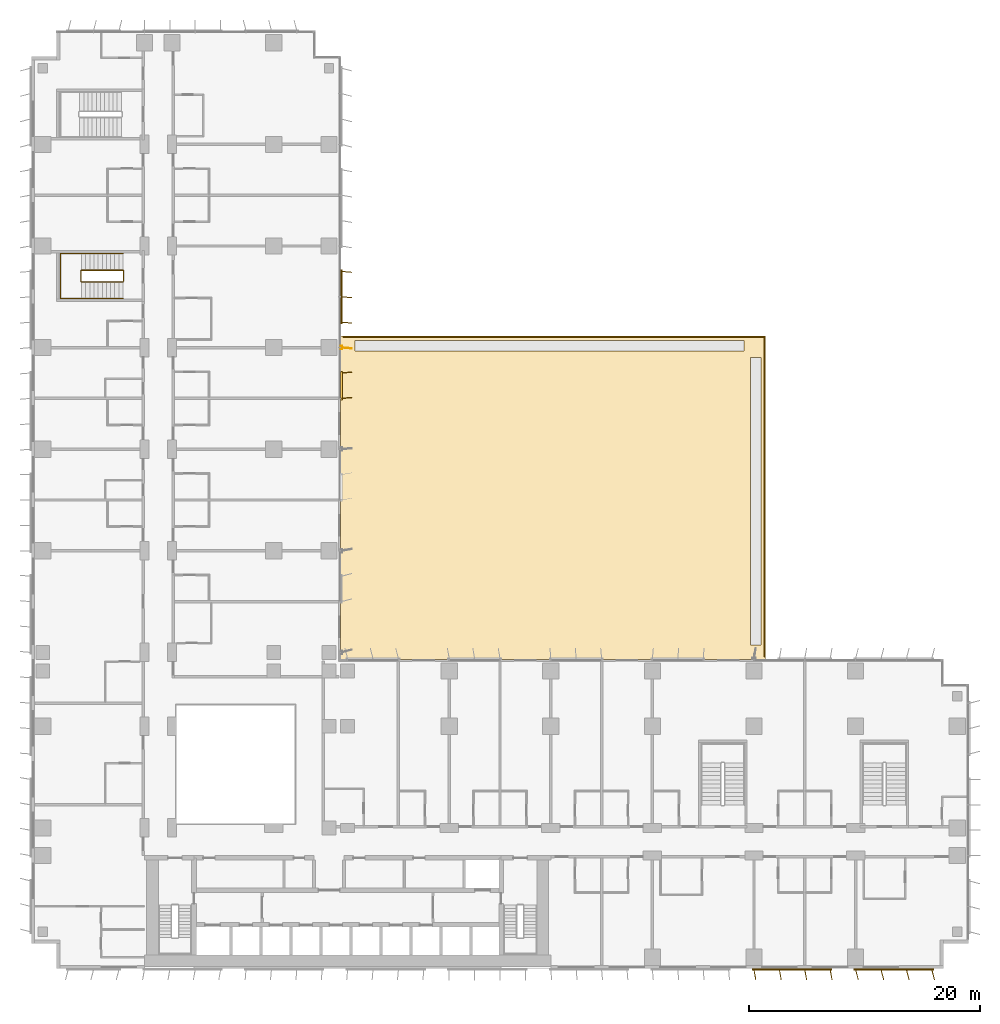
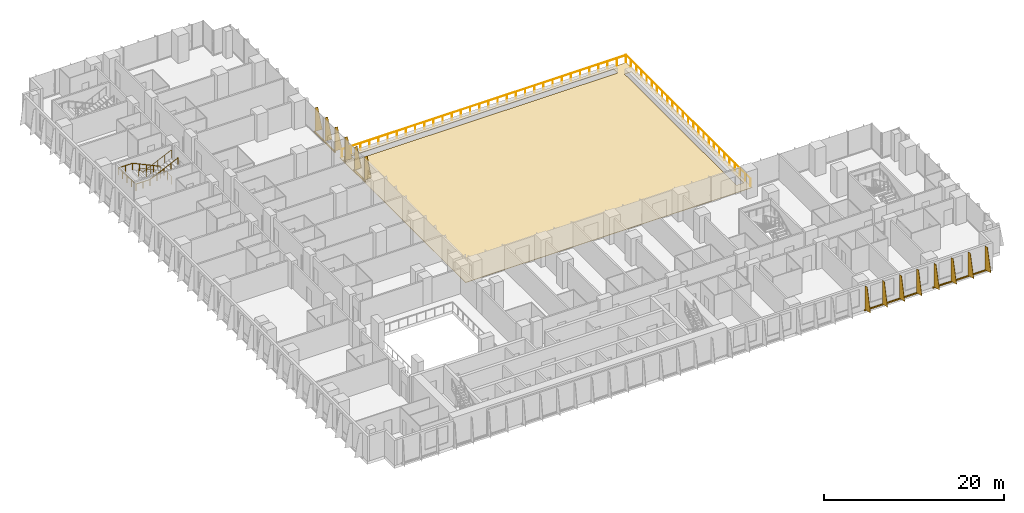
# One storey, part 21 of 23: 5 shading devices, 3 railings, 1 covering.
"""IFC4 building model written with IfcOpenShell, lengths in metres."""

from ifc_helpers import new_model, si_unit, direction, frame, origin, origin_2d, place, context, subcontext, project, spatial, polyline, rectangle, circle, outline, extrude, source, transform, mapped, material, layer, layer_set, type_object, element, save


model = new_model("IFC4")

# Units and contexts
model_context = context("Model", 3, precision=1e-05, world=origin(), true_north=direction((0.0, 1.0)))
body_context = subcontext(model_context, "Body", "Model", "MODEL_VIEW")
ifc_project = project(units=[si_unit("LENGTHUNIT", "METRE"), si_unit("AREAUNIT", "SQUARE_METRE"), si_unit("VOLUMEUNIT", "CUBIC_METRE"), si_unit("PLANEANGLEUNIT", "RADIAN"), si_unit("MASSUNIT", "GRAM", prefix="KILO")], contexts=[model_context])

# Site, building, storey
site_placement = place(None, origin())
site = spatial("IfcSite", under=ifc_project, at=site_placement, CompositionType="ELEMENT")
building_placement = place(site_placement, origin())
building = spatial("IfcBuilding", under=site, at=building_placement, Name="Kemantara Hotel Tower", CompositionType="ELEMENT")
storey_placement = place(building_placement, frame((0.0, 0.0, 34.0)))
storey = spatial("IfcBuildingStorey", under=building, at=storey_placement, Name="L06", CompositionType="ELEMENT", Elevation=34.0)

# Railings
ifc_material_1 = material(Name="Stainless steel balustrade", Category="steel")
railing_type_1 = type_object("IfcRailingType", Name="Stair guard 1100 mm", PredefinedType="GUARDRAIL", material=ifc_material_1)
railing_1_placement = place(storey_placement, frame((7.949951171875, 59.5, 3.699951171875)))
element("IfcRailing", 1, at=railing_1_placement, inside=storey, type_object=railing_type_1, Name="L06 ST4 stair guard 1", PredefinedType="GUARDRAIL", context=body_context, shape_type="SweptSolid", body=[
    extrude(circle(Radius=0.02392578125, at=origin_2d()), frame((0.0, 0.0, 1.076171875), z_axis=(-0.905994681025, 0.0, -0.423289071386), x_axis=(0.0, -1.0, 0.0)), (0.0, 0.0, 1.0), 3.973388671875),
    extrude(circle(Radius=0.02392578125, at=origin_2d()), frame((-3.599853515625, 0.0, -0.60595703125), z_axis=(-0.274582412415, 0.274582412415, -0.921525364591), x_axis=(-0.707106781187, -0.707106781187, 0.0)), (0.0, 0.0, 1.0), 0.182373046875),
    extrude(circle(Radius=0.02392578125, at=origin_2d()), frame((-3.64990234375, 0.050048828125, -0.77392578125), z_axis=(0.0, 1.0, 0.0), x_axis=(-1.0, 0.0, 0.0)), (0.0, 0.0, 1.0), 0.89990234375),
    extrude(circle(Radius=0.02392578125, at=origin_2d()), frame((-3.64990234375, 0.949951171875, -0.77392578125), z_axis=(0.707106781187, 0.707106781187, 0.0), x_axis=(-0.707106781187, 0.707106781187, 0.0)), (0.0, 0.0, 1.0), 0.07080078125),
    extrude(circle(Radius=0.02392578125, at=origin_2d()), frame((-3.599853515625, 1.0, -0.77392578125), z_axis=(0.905994681025, 0.0, -0.423289071386), x_axis=(0.0, 1.0, 0.0)), (0.0, 0.0, 1.0), 3.973388671875),
    extrude(circle(Radius=0.02392578125, at=origin_2d()), frame((0.0, 1.0, -2.45556640625), z_axis=(0.274243871929, -0.274243871929, -0.92172696468), x_axis=(0.707106781187, 0.707106781187, 0.0)), (0.0, 0.0, 1.0), 0.1826171875),
    extrude(circle(Radius=0.02392578125, at=origin_2d()), frame((0.050048828125, 0.949951171875, -2.6240234375), z_axis=(0.0, -1.0, 0.0), x_axis=(1.0, 0.0, 0.0)), (0.0, 0.0, 1.0), 0.89990234375),
    extrude(circle(Radius=0.02099609375, at=origin_2d()), origin(), (0.0, 0.0, 1.0), 1.052001953125),
    extrude(circle(Radius=0.02099609375, at=origin_2d()), frame((-0.89990234375, 0.0, -0.42041015625)), (0.0, 0.0, 1.0), 1.052001953125),
    extrude(circle(Radius=0.02099609375, at=origin_2d()), frame((-1.7998046875, 0.0, -0.8408203125)), (0.0, 0.0, 1.0), 1.052001953125),
    extrude(circle(Radius=0.02099609375, at=origin_2d()), frame((-2.699951171875, 0.0, -1.261474609375)), (0.0, 0.0, 1.0), 1.052001953125),
    extrude(circle(Radius=0.02099609375, at=origin_2d()), frame((-3.599853515625, 0.0, -1.681884765625)), (0.0, 0.0, 1.0), 1.052001953125),
    extrude(circle(Radius=0.02099609375, at=origin_2d()), frame((-3.64990234375, 0.050048828125, -1.849853515625)), (0.0, 0.0, 1.0), 1.052001953125),
    extrude(circle(Radius=0.02099609375, at=origin_2d()), frame((-3.64990234375, 0.949951171875, -1.849853515625)), (0.0, 0.0, 1.0), 1.052001953125),
    extrude(circle(Radius=0.02099609375, at=origin_2d()), frame((-3.599853515625, 1.0, -1.849853515625)), (0.0, 0.0, 1.0), 1.052001953125),
    extrude(circle(Radius=0.02099609375, at=origin_2d()), frame((-2.699951171875, 1.0, -2.270263671875)), (0.0, 0.0, 1.0), 1.052001953125),
    extrude(circle(Radius=0.02099609375, at=origin_2d()), frame((-1.7998046875, 1.0, -2.69091796875)), (0.0, 0.0, 1.0), 1.052001953125),
    extrude(circle(Radius=0.02099609375, at=origin_2d()), frame((-0.89990234375, 1.0, -3.111328125)), (0.0, 0.0, 1.0), 1.052001953125),
    extrude(circle(Radius=0.02099609375, at=origin_2d()), frame((0.0, 1.0, -3.53173828125)), (0.0, 0.0, 1.0), 1.052001953125),
    extrude(circle(Radius=0.02099609375, at=origin_2d()), frame((0.050048828125, 0.949951171875, -3.699951171875)), (0.0, 0.0, 1.0), 1.052001953125),
    extrude(circle(Radius=0.02099609375, at=origin_2d()), frame((0.050048828125, 0.050048828125, -3.699951171875)), (0.0, 0.0, 1.0), 1.052001953125),
])
railing_type_2 = type_object("IfcRailingType", Name="Stair handrail 900 mm", PredefinedType="HANDRAIL", material=ifc_material_1)
railing_2_placement = place(storey_placement, frame((7.949951171875, 61.949951171875, 0.168212890625)))
element("IfcRailing", 2, at=railing_2_placement, inside=storey, type_object=railing_type_2, Name="L06 ST4 stair handrail 1", PredefinedType="HANDRAIL", context=body_context, shape_type="SweptSolid", body=[
    extrude(circle(Radius=0.02392578125, at=origin_2d()), frame((0.0, 0.0, 0.8759765625), z_axis=(-0.905994681025, 0.0, 0.423289071386), x_axis=(0.0, -1.0, 0.0)), (0.0, 0.0, 1.0), 3.973388671875),
    extrude(circle(Radius=0.02392578125, at=origin_2d()), frame((-3.599853515625, 0.0, 2.5576171875), z_axis=(-1.0, 0.0, 0.0), x_axis=(0.0, -1.0, 0.0)), (0.0, 0.0, 1.0), 1.830078125),
    extrude(circle(Radius=0.02392578125, at=origin_2d()), frame((-5.429931640625, 0.0, 2.5576171875), z_axis=(0.0, -0.999073776461, 0.043030096294), x_axis=(1.0, 0.0, 0.0)), (0.0, 0.0, 1.0), 3.903564453125),
    extrude(circle(Radius=0.02392578125, at=origin_2d()), frame((-5.429931640625, -3.89990234375, 2.7255859375), z_axis=(1.0, 0.0, 0.0), x_axis=(0.0, 1.0, 0.0)), (0.0, 0.0, 1.0), 1.830078125),
    extrude(circle(Radius=0.02392578125, at=origin_2d()), frame((-3.599853515625, -3.89990234375, 2.7255859375), z_axis=(0.905994681025, 0.0, 0.423289071386), x_axis=(0.0, 1.0, 0.0)), (0.0, 0.0, 1.0), 3.973388671875),
    extrude(circle(Radius=0.02099609375, at=origin_2d()), origin(), (0.0, 0.0, 1.0), 0.851806640625),
    extrude(circle(Radius=0.02099609375, at=origin_2d()), frame((-0.89990234375, 0.0, 0.42041015625)), (0.0, 0.0, 1.0), 0.851806640625),
    extrude(circle(Radius=0.02099609375, at=origin_2d()), frame((-1.7998046875, 0.0, 0.8408203125)), (0.0, 0.0, 1.0), 0.851806640625),
    extrude(circle(Radius=0.02099609375, at=origin_2d()), frame((-2.699951171875, 0.0, 1.261474609375)), (0.0, 0.0, 1.0), 0.851806640625),
    extrude(circle(Radius=0.02099609375, at=origin_2d()), frame((-3.599853515625, 0.0, 1.681884765625)), (0.0, 0.0, 1.0), 0.851806640625),
    extrude(circle(Radius=0.02099609375, at=origin_2d()), frame((-4.514892578125, 0.0, 1.681884765625)), (0.0, 0.0, 1.0), 0.851806640625),
    extrude(circle(Radius=0.02099609375, at=origin_2d()), frame((-5.429931640625, 0.0, 1.681884765625)), (0.0, 0.0, 1.0), 0.851806640625),
    extrude(circle(Radius=0.02099609375, at=origin_2d()), frame((-5.429931640625, -0.97509765625, 1.723876953125)), (0.0, 0.0, 1.0), 0.851806640625),
    extrude(circle(Radius=0.02099609375, at=origin_2d()), frame((-5.429931640625, -1.949951171875, 1.765869140625)), (0.0, 0.0, 1.0), 0.851806640625),
    extrude(circle(Radius=0.02099609375, at=origin_2d()), frame((-5.429931640625, -2.9248046875, 1.807861328125)), (0.0, 0.0, 1.0), 0.851806640625),
    extrude(circle(Radius=0.02099609375, at=origin_2d()), frame((-5.429931640625, -3.89990234375, 1.849853515625)), (0.0, 0.0, 1.0), 0.851806640625),
    extrude(circle(Radius=0.02099609375, at=origin_2d()), frame((-4.514892578125, -3.89990234375, 1.849853515625)), (0.0, 0.0, 1.0), 0.851806640625),
    extrude(circle(Radius=0.02099609375, at=origin_2d()), frame((-3.599853515625, -3.89990234375, 1.849853515625)), (0.0, 0.0, 1.0), 0.851806640625),
    extrude(circle(Radius=0.02099609375, at=origin_2d()), frame((-2.699951171875, -3.89990234375, 2.270263671875)), (0.0, 0.0, 1.0), 0.851806640625),
    extrude(circle(Radius=0.02099609375, at=origin_2d()), frame((-1.7998046875, -3.89990234375, 2.69091796875)), (0.0, 0.0, 1.0), 0.851806640625),
    extrude(circle(Radius=0.02099609375, at=origin_2d()), frame((-0.89990234375, -3.89990234375, 3.111328125)), (0.0, 0.0, 1.0), 0.851806640625),
    extrude(circle(Radius=0.02099609375, at=origin_2d()), frame((0.0, -3.89990234375, 3.53173828125)), (0.0, 0.0, 1.0), 0.851806640625),
])
ifc_material_2 = material(Name="Stainless steel 316 (EN 1.4401)", Category="steel")
railing_type_3 = type_object("IfcRailingType", Name="TERRACE GUARD, STAINLESS STEEL 1100", PredefinedType="GUARDRAIL", material=ifc_material_2)
railing_3_placement = place(storey_placement, frame((27.050048828125, 54.699951171875, 0.0)))
element("IfcRailing", 3, at=railing_3_placement, inside=storey, type_object=railing_type_3, Name="TERRACE GUARD TERRACE-PODIUM-1", PredefinedType="GUARDRAIL", context=body_context, shape_type="SweptSolid", body=[
    extrude(circle(Radius=0.02490234375, at=origin_2d()), frame((0.0, 0.0, 1.0751953125), z_axis=(1.0, 0.0, 0.0), x_axis=(0.0, 1.0, 0.0)), (0.0, 0.0, 1.0), 36.449951171875),
    extrude(circle(Radius=0.02490234375, at=origin_2d()), frame((36.449951171875, 0.0, 1.0751953125), z_axis=(0.0, -1.0, 0.0), x_axis=(1.0, 0.0, 0.0)), (0.0, 0.0, 1.0), 27.64990234375),
    extrude(circle(Radius=0.02001953125, at=origin_2d()), origin(), (0.0, 0.0, 1.0), 1.050048828125),
    extrude(circle(Radius=0.02001953125, at=origin_2d()), frame((1.17578125, 0.0, 0.0)), (0.0, 0.0, 1.0), 1.050048828125),
    extrude(circle(Radius=0.02001953125, at=origin_2d()), frame((2.3515625, 0.0, 0.0)), (0.0, 0.0, 1.0), 1.050048828125),
    extrude(circle(Radius=0.02001953125, at=origin_2d()), frame((3.52734375, 0.0, 0.0)), (0.0, 0.0, 1.0), 1.050048828125),
    extrude(circle(Radius=0.02001953125, at=origin_2d()), frame((4.703125, 0.0, 0.0)), (0.0, 0.0, 1.0), 1.050048828125),
    extrude(circle(Radius=0.02001953125, at=origin_2d()), frame((5.87890625, 0.0, 0.0)), (0.0, 0.0, 1.0), 1.050048828125),
    extrude(circle(Radius=0.02001953125, at=origin_2d()), frame((7.054931640625, 0.0, 0.0)), (0.0, 0.0, 1.0), 1.050048828125),
    extrude(circle(Radius=0.02001953125, at=origin_2d()), frame((8.230712890625, 0.0, 0.0)), (0.0, 0.0, 1.0), 1.050048828125),
    extrude(circle(Radius=0.02001953125, at=origin_2d()), frame((9.406494140625, 0.0, 0.0)), (0.0, 0.0, 1.0), 1.050048828125),
    extrude(circle(Radius=0.02001953125, at=origin_2d()), frame((10.582275390625, 0.0, 0.0)), (0.0, 0.0, 1.0), 1.050048828125),
    extrude(circle(Radius=0.02001953125, at=origin_2d()), frame((11.758056640625, 0.0, 0.0)), (0.0, 0.0, 1.0), 1.050048828125),
    extrude(circle(Radius=0.02001953125, at=origin_2d()), frame((12.933837890625, 0.0, 0.0)), (0.0, 0.0, 1.0), 1.050048828125),
    extrude(circle(Radius=0.02001953125, at=origin_2d()), frame((14.109619140625, 0.0, 0.0)), (0.0, 0.0, 1.0), 1.050048828125),
    extrude(circle(Radius=0.02001953125, at=origin_2d()), frame((15.285400390625, 0.0, 0.0)), (0.0, 0.0, 1.0), 1.050048828125),
    extrude(circle(Radius=0.02001953125, at=origin_2d()), frame((16.461181640625, 0.0, 0.0)), (0.0, 0.0, 1.0), 1.050048828125),
    extrude(circle(Radius=0.02001953125, at=origin_2d()), frame((17.636962890625, 0.0, 0.0)), (0.0, 0.0, 1.0), 1.050048828125),
    extrude(circle(Radius=0.02001953125, at=origin_2d()), frame((18.81298828125, 0.0, 0.0)), (0.0, 0.0, 1.0), 1.050048828125),
    extrude(circle(Radius=0.02001953125, at=origin_2d()), frame((19.98876953125, 0.0, 0.0)), (0.0, 0.0, 1.0), 1.050048828125),
    extrude(circle(Radius=0.02001953125, at=origin_2d()), frame((21.16455078125, 0.0, 0.0)), (0.0, 0.0, 1.0), 1.050048828125),
    extrude(circle(Radius=0.02001953125, at=origin_2d()), frame((22.34033203125, 0.0, 0.0)), (0.0, 0.0, 1.0), 1.050048828125),
    extrude(circle(Radius=0.02001953125, at=origin_2d()), frame((23.51611328125, 0.0, 0.0)), (0.0, 0.0, 1.0), 1.050048828125),
    extrude(circle(Radius=0.02001953125, at=origin_2d()), frame((24.69189453125, 0.0, 0.0)), (0.0, 0.0, 1.0), 1.050048828125),
    extrude(circle(Radius=0.02001953125, at=origin_2d()), frame((25.86767578125, 0.0, 0.0)), (0.0, 0.0, 1.0), 1.050048828125),
    extrude(circle(Radius=0.02001953125, at=origin_2d()), frame((27.04345703125, 0.0, 0.0)), (0.0, 0.0, 1.0), 1.050048828125),
    extrude(circle(Radius=0.02001953125, at=origin_2d()), frame((28.21923828125, 0.0, 0.0)), (0.0, 0.0, 1.0), 1.050048828125),
    extrude(circle(Radius=0.02001953125, at=origin_2d()), frame((29.39501953125, 0.0, 0.0)), (0.0, 0.0, 1.0), 1.050048828125),
    extrude(circle(Radius=0.02001953125, at=origin_2d()), frame((30.571044921875, 0.0, 0.0)), (0.0, 0.0, 1.0), 1.050048828125),
    extrude(circle(Radius=0.02001953125, at=origin_2d()), frame((31.746826171875, 0.0, 0.0)), (0.0, 0.0, 1.0), 1.050048828125),
    extrude(circle(Radius=0.02001953125, at=origin_2d()), frame((32.922607421875, 0.0, 0.0)), (0.0, 0.0, 1.0), 1.050048828125),
    extrude(circle(Radius=0.02001953125, at=origin_2d()), frame((34.098388671875, 0.0, 0.0)), (0.0, 0.0, 1.0), 1.050048828125),
    extrude(circle(Radius=0.02001953125, at=origin_2d()), frame((35.274169921875, 0.0, 0.0)), (0.0, 0.0, 1.0), 1.050048828125),
    extrude(circle(Radius=0.02001953125, at=origin_2d()), frame((36.449951171875, 0.0, 0.0)), (0.0, 0.0, 1.0), 1.050048828125),
    extrude(circle(Radius=0.02001953125, at=origin_2d()), frame((36.449951171875, -1.152099609375, 0.0)), (0.0, 0.0, 1.0), 1.050048828125),
    extrude(circle(Radius=0.02001953125, at=origin_2d()), frame((36.449951171875, -2.30419921875, 0.0)), (0.0, 0.0, 1.0), 1.050048828125),
    extrude(circle(Radius=0.02001953125, at=origin_2d()), frame((36.449951171875, -3.456298828125, 0.0)), (0.0, 0.0, 1.0), 1.050048828125),
    extrude(circle(Radius=0.02001953125, at=origin_2d()), frame((36.449951171875, -4.6083984375, 0.0)), (0.0, 0.0, 1.0), 1.050048828125),
    extrude(circle(Radius=0.02001953125, at=origin_2d()), frame((36.449951171875, -5.760498046875, 0.0)), (0.0, 0.0, 1.0), 1.050048828125),
    extrude(circle(Radius=0.02001953125, at=origin_2d()), frame((36.449951171875, -6.91259765625, 0.0)), (0.0, 0.0, 1.0), 1.050048828125),
    extrude(circle(Radius=0.02001953125, at=origin_2d()), frame((36.449951171875, -8.064453125, 0.0)), (0.0, 0.0, 1.0), 1.050048828125),
    extrude(circle(Radius=0.02001953125, at=origin_2d()), frame((36.449951171875, -9.216552734375, 0.0)), (0.0, 0.0, 1.0), 1.050048828125),
    extrude(circle(Radius=0.02001953125, at=origin_2d()), frame((36.449951171875, -10.36865234375, 0.0)), (0.0, 0.0, 1.0), 1.050048828125),
    extrude(circle(Radius=0.02001953125, at=origin_2d()), frame((36.449951171875, -11.520751953125, 0.0)), (0.0, 0.0, 1.0), 1.050048828125),
    extrude(circle(Radius=0.02001953125, at=origin_2d()), frame((36.449951171875, -12.6728515625, 0.0)), (0.0, 0.0, 1.0), 1.050048828125),
    extrude(circle(Radius=0.02001953125, at=origin_2d()), frame((36.449951171875, -13.824951171875, 0.0)), (0.0, 0.0, 1.0), 1.050048828125),
    extrude(circle(Radius=0.02001953125, at=origin_2d()), frame((36.449951171875, -14.97705078125, 0.0)), (0.0, 0.0, 1.0), 1.050048828125),
    extrude(circle(Radius=0.02001953125, at=origin_2d()), frame((36.449951171875, -16.129150390625, 0.0)), (0.0, 0.0, 1.0), 1.050048828125),
    extrude(circle(Radius=0.02001953125, at=origin_2d()), frame((36.449951171875, -17.28125, 0.0)), (0.0, 0.0, 1.0), 1.050048828125),
    extrude(circle(Radius=0.02001953125, at=origin_2d()), frame((36.449951171875, -18.433349609375, 0.0)), (0.0, 0.0, 1.0), 1.050048828125),
    extrude(circle(Radius=0.02001953125, at=origin_2d()), frame((36.449951171875, -19.58544921875, 0.0)), (0.0, 0.0, 1.0), 1.050048828125),
    extrude(circle(Radius=0.02001953125, at=origin_2d()), frame((36.449951171875, -20.7373046875, 0.0)), (0.0, 0.0, 1.0), 1.050048828125),
    extrude(circle(Radius=0.02001953125, at=origin_2d()), frame((36.449951171875, -21.889404296875, 0.0)), (0.0, 0.0, 1.0), 1.050048828125),
    extrude(circle(Radius=0.02001953125, at=origin_2d()), frame((36.449951171875, -23.04150390625, 0.0)), (0.0, 0.0, 1.0), 1.050048828125),
    extrude(circle(Radius=0.02001953125, at=origin_2d()), frame((36.449951171875, -24.193603515625, 0.0)), (0.0, 0.0, 1.0), 1.050048828125),
    extrude(circle(Radius=0.02001953125, at=origin_2d()), frame((36.449951171875, -25.345703125, 0.0)), (0.0, 0.0, 1.0), 1.050048828125),
    extrude(circle(Radius=0.02001953125, at=origin_2d()), frame((36.449951171875, -26.497802734375, 0.0)), (0.0, 0.0, 1.0), 1.050048828125),
    extrude(circle(Radius=0.02001953125, at=origin_2d()), frame((36.449951171875, -27.64990234375, 0.0)), (0.0, 0.0, 1.0), 1.050048828125),
])

# Covering
ifc_material_3 = material(Name="Bituminous roofing membrane under porcelain paving")
ifc_layer_1 = layer(ifc_material_3, 0.050048828125)
ifc_layer_set_1 = layer_set([ifc_layer_1], Name="Bituminous roofing membrane under porcelain paving")
covering_type = type_object("IfcCoveringType", Name="TERRACE ROOFING AND PAVING 50", PredefinedType="ROOFING", material=ifc_layer_set_1)
covering_placement = place(storey_placement, frame((0.0, 0.0, -0.050048828125)))
element("IfcCovering", 4, at=covering_placement, inside=storey, type_object=covering_type, Name="ROOFING AND PAVING TERRACE-PODIUM", PredefinedType="ROOFING", context=body_context, shape_type="SweptSolid", body=[
    extrude(outline(polyline([(63.60009765625, 26.800048828125), (26.800048828125, 26.800048828125), (26.800048828125, 54.800048828125), (63.60009765625, 54.800048828125), (63.60009765625, 26.800048828125)]), holes=[polyline([(28.050048828125, 53.5), (61.75, 53.5), (61.75, 54.39990234375), (28.050048828125, 54.39990234375), (28.050048828125, 53.5)]), polyline([(63.199951171875, 52.949951171875), (62.300048828125, 52.949951171875), (62.300048828125, 28.050048828125), (63.199951171875, 28.050048828125), (63.199951171875, 52.949951171875)])]), origin(), (0.0, 0.0, 1.0), 0.050048828125),
])

# Shading devices
ifc_material_4 = material(Name="Perforated aluminium plate 4 mm bronze anodised", Category="aluminium")
ifc_layer_2 = layer(ifc_material_4, 0.0400390625)
ifc_layer_set_2 = layer_set([ifc_layer_2], Name="Perforated aluminium plate 4 mm bronze anodised")
shading_device_type_1 = type_object("IfcShadingDeviceType", Name="SCREEN FIN CASSETTE, 4 BLADES AT +10.0 DEG, 3200 HIGH", PredefinedType="USERDEFINED", material=ifc_layer_set_2)
shared_shape_1 = source(origin(), body_context, "Body", "SweptSolid", [
    extrude(rectangle(XDim=6.89990234375, YDim=0.14990234375, at=origin_2d()), frame((3.300048828125, -0.074951171875, -0.14990234375), z_axis=(0.0, 0.0, 1.0), x_axis=(1.0, 0.0, 0.0)), (0.0, 0.0, 1.0), 0.14990234375),
    extrude(outline(polyline([(0.0, 0.0), (0.89990234375, 0.0), (0.35009765625, 3.199951171875), (0.0, 3.199951171875), (0.0, 0.0)])), frame((0.019775390625, -0.071533203125, 0.0), z_axis=(-0.985389793052, -0.170314285219, 0.0), x_axis=(0.170314285219, -0.985389793052, 0.0)), (0.0, 0.0, 1.0), 0.0400390625),
    extrude(outline(polyline([(0.0, 0.0), (0.89990234375, 0.0), (0.35009765625, 3.199951171875), (0.0, 3.199951171875), (0.0, 0.0)])), frame((2.2197265625, -0.071533203125, 0.0), z_axis=(-0.98521175482, -0.171341174751, 0.0), x_axis=(0.171341174751, -0.98521175482, 0.0)), (0.0, 0.0, 1.0), 0.039794921875),
    extrude(outline(polyline([(0.0, 0.0), (0.89990234375, 0.0), (0.35009765625, 3.199951171875), (0.0, 3.199951171875), (0.0, 0.0)])), frame((4.419677734375, -0.071533203125, 0.0), z_axis=(-0.98521175482, -0.171341174751, 0.0), x_axis=(0.171341174751, -0.98521175482, 0.0)), (0.0, 0.0, 1.0), 0.039794921875),
    extrude(outline(polyline([(0.0, 0.0), (0.89990234375, 0.0), (0.35009765625, 3.199951171875), (0.0, 3.199951171875), (0.0, 0.0)])), frame((6.61962890625, -0.071533203125, 0.0), z_axis=(-0.98521175482, -0.171341174751, 0.0), x_axis=(0.171341174751, -0.98521175482, 0.0)), (0.0, 0.0, 1.0), 0.039794921875),
])
shading_device_1_placement = place(storey_placement, frame((62.60009765625, 0.0, 0.10009765625), z_axis=(0.0, 0.0, 1.0), x_axis=(1.0, 0.0, 0.0)))
element("IfcShadingDevice", 5, at=shading_device_1_placement, inside=storey, type_object=shading_device_type_1, Name="SCREEN FIN CASSETTE L06 T1-R01-8", ObjectType="SCREEN FIN", PredefinedType="USERDEFINED", context=body_context, shape_type="MappedRepresentation", body=[
    mapped(shared_shape_1, transform((0.0, 0.0, 0.0))),
])
ifc_layer_3 = layer(ifc_material_4, 0.0400390625)
ifc_layer_set_3 = layer_set([ifc_layer_3], Name="Perforated aluminium plate 4 mm bronze anodised")
shading_device_type_2 = type_object("IfcShadingDeviceType", Name="SCREEN FIN CASSETTE, 4 BLADES AT +15.0 DEG, 3200 HIGH", PredefinedType="USERDEFINED", material=ifc_layer_set_3)
shared_shape_2 = source(origin(), body_context, "Body", "SweptSolid", [
    extrude(rectangle(XDim=6.89990234375, YDim=0.14990234375, at=origin_2d()), frame((3.300048828125, -0.074951171875, -0.14990234375), z_axis=(0.0, 0.0, 1.0), x_axis=(1.0, 0.0, 0.0)), (0.0, 0.0, 1.0), 0.14990234375),
    extrude(outline(polyline([(0.0, 0.0), (0.89990234375, 0.0), (0.35009765625, 3.199951171875), (0.0, 3.199951171875), (0.0, 0.0)])), frame((0.019287109375, -0.06982421875, 0.0), z_axis=(-0.966437683387, -0.256901156343, 0.0), x_axis=(0.256901156343, -0.966437683387, 0.0)), (0.0, 0.0, 1.0), 0.039794921875),
    extrude(outline(polyline([(0.0, 0.0), (0.89990234375, 0.0), (0.35009765625, 3.199951171875), (0.0, 3.199951171875), (0.0, 0.0)])), frame((2.21923828125, -0.06982421875, 0.0), z_axis=(-0.966437683387, -0.256901156343, 0.0), x_axis=(0.256901156343, -0.966437683387, 0.0)), (0.0, 0.0, 1.0), 0.039794921875),
    extrude(outline(polyline([(0.0, 0.0), (0.89990234375, 0.0), (0.35009765625, 3.199951171875), (0.0, 3.199951171875), (0.0, 0.0)])), frame((4.41943359375, -0.06982421875, 0.0), z_axis=(-0.966837822169, -0.255391122837, 0.0), x_axis=(0.255391122837, -0.966837822169, 0.0)), (0.0, 0.0, 1.0), 0.0400390625),
    extrude(outline(polyline([(0.0, 0.0), (0.89990234375, 0.0), (0.35009765625, 3.199951171875), (0.0, 3.199951171875), (0.0, 0.0)])), frame((6.619384765625, -0.06982421875, 0.0), z_axis=(-0.966837822169, -0.255391122837, 0.0), x_axis=(0.255391122837, -0.966837822169, 0.0)), (0.0, 0.0, 1.0), 0.0400390625),
])
shading_device_2_placement = place(storey_placement, frame((71.39990234375, 0.0, 0.10009765625), z_axis=(0.0, 0.0, 1.0), x_axis=(1.0, 0.0, 0.0)))
element("IfcShadingDevice", 6, at=shading_device_2_placement, inside=storey, type_object=shading_device_type_2, Name="SCREEN FIN CASSETTE L06 T1-R01-9", ObjectType="SCREEN FIN", PredefinedType="USERDEFINED", context=body_context, shape_type="MappedRepresentation", body=[
    mapped(shared_shape_2, transform((0.0, 0.0, 0.0))),
])
ifc_layer_4 = layer(ifc_material_4, 0.0400390625)
ifc_layer_set_4 = layer_set([ifc_layer_4], Name="Perforated aluminium plate 4 mm bronze anodised")
shading_device_type_3 = type_object("IfcShadingDeviceType", Name="SCREEN FIN CASSETTE, 2 BLADES AT +5.0 DEG, 3150 HIGH", PredefinedType="USERDEFINED", material=ifc_layer_set_4)
shared_shape_3 = source(origin(), body_context, "Body", "SweptSolid", [
    extrude(rectangle(XDim=2.5, YDim=0.14990234375, at=origin_2d()), frame((1.10009765625, -0.074951171875, -0.14990234375), z_axis=(0.0, 0.0, 1.0), x_axis=(1.0, 0.0, 0.0)), (0.0, 0.0, 1.0), 0.14990234375),
    extrude(outline(polyline([(0.0, 0.0), (0.89990234375, 0.0), (0.35009765625, 3.14990234375), (0.0, 3.14990234375), (0.0, 0.0)])), frame((0.02001953125, -0.0732421875, 0.0), z_axis=(-0.996376129781, -0.085056498884, 0.0), x_axis=(0.085056498884, -0.996376129781, 0.0)), (0.0, 0.0, 1.0), 0.040283203125),
    extrude(outline(polyline([(0.0, 0.0), (0.89990234375, 0.0), (0.35009765625, 3.14990234375), (0.0, 3.14990234375), (0.0, 0.0)])), frame((2.219970703125, -0.0732421875, 0.0), z_axis=(-0.996331773833, -0.085574508182, 0.0), x_axis=(0.085574508182, -0.996331773833, 0.0)), (0.0, 0.0, 1.0), 0.0400390625),
])
shading_device_3_placement = place(storey_placement, frame((26.800048828125, 49.39990234375, 0.14990234375), z_axis=(0.0, 0.0, 1.0), x_axis=(0.0, 1.0, 0.0)))
element("IfcShadingDevice", 7, at=shading_device_3_placement, inside=storey, type_object=shading_device_type_3, Name="SCREEN FIN CASSETTE L06 T1-R08-6", ObjectType="SCREEN FIN", PredefinedType="USERDEFINED", context=body_context, shape_type="MappedRepresentation", body=[
    mapped(shared_shape_3, transform((0.0, 0.0, 0.0))),
])
ifc_layer_5 = layer(ifc_material_4, 0.0400390625)
ifc_layer_set_5 = layer_set([ifc_layer_5], Name="Perforated aluminium plate 4 mm bronze anodised")
shading_device_type_4 = type_object("IfcShadingDeviceType", Name="SCREEN FIN CASSETTE, 1 BLADE AT -5.0 DEG, 3150 HIGH", PredefinedType="USERDEFINED", material=ifc_layer_set_5)
shared_shape_4 = source(origin(), body_context, "Body", "SweptSolid", [
    extrude(rectangle(XDim=0.300048828125, YDim=0.14990234375, at=origin_2d()), frame((0.0, -0.074951171875, -0.14990234375), z_axis=(0.0, 0.0, 1.0), x_axis=(1.0, 0.0, 0.0)), (0.0, 0.0, 1.0), 0.14990234375),
    extrude(outline(polyline([(0.0, 0.0), (0.89990234375, 0.0), (0.35009765625, 3.14990234375), (0.0, 3.14990234375), (0.0, 0.0)])), frame((0.02001953125, -0.07666015625, 0.0), z_axis=(-0.996376129781, 0.085056498884, 0.0), x_axis=(-0.085056498884, -0.996376129781, 0.0)), (0.0, 0.0, 1.0), 0.040283203125),
])
shading_device_4_placement = place(storey_placement, frame((26.800048828125, 53.800048828125, 0.14990234375), z_axis=(0.0, 0.0, 1.0), x_axis=(0.0, 1.0, 0.0)))
element("IfcShadingDevice", 8, at=shading_device_4_placement, inside=storey, type_object=shading_device_type_4, Name="SCREEN FIN CASSETTE L06 T1-R08-7", ObjectType="SCREEN FIN", PredefinedType="USERDEFINED", context=body_context, shape_type="MappedRepresentation", body=[
    mapped(shared_shape_4, transform((0.0, 0.0, 0.0))),
])
ifc_layer_6 = layer(ifc_material_4, 0.0400390625)
ifc_layer_set_6 = layer_set([ifc_layer_6], Name="Perforated aluminium plate 4 mm bronze anodised")
shading_device_type_5 = type_object("IfcShadingDeviceType", Name="SCREEN FIN CASSETTE, 3 BLADES AT -5.0 DEG, 3200 HIGH", PredefinedType="USERDEFINED", material=ifc_layer_set_6)
shared_shape_5 = source(origin(), body_context, "Body", "SweptSolid", [
    extrude(rectangle(XDim=4.699951171875, YDim=0.14990234375, at=origin_2d()), frame((2.199951171875, -0.074951171875, -0.14990234375), z_axis=(0.0, 0.0, 1.0), x_axis=(1.0, 0.0, 0.0)), (0.0, 0.0, 1.0), 0.14990234375),
    extrude(outline(polyline([(0.0, 0.0), (0.89990234375, 0.0), (0.35009765625, 3.199951171875), (0.0, 3.199951171875), (0.0, 0.0)])), frame((0.02001953125, -0.07666015625, 0.0), z_axis=(-0.996376129781, 0.085056498884, 0.0), x_axis=(-0.085056498884, -0.996376129781, 0.0)), (0.0, 0.0, 1.0), 0.040283203125),
    extrude(outline(polyline([(0.0, 0.0), (0.89990234375, 0.0), (0.35009765625, 3.199951171875), (0.0, 3.199951171875), (0.0, 0.0)])), frame((2.219970703125, -0.07666015625, 0.0), z_axis=(-0.996331773833, 0.085574508182, 0.0), x_axis=(-0.085574508182, -0.996331773833, 0.0)), (0.0, 0.0, 1.0), 0.0400390625),
    extrude(outline(polyline([(0.0, 0.0), (0.89990234375, 0.0), (0.35009765625, 3.199951171875), (0.0, 3.199951171875), (0.0, 0.0)])), frame((4.419921875, -0.07666015625, 0.0), z_axis=(-0.996331773833, 0.085574508182, 0.0), x_axis=(-0.085574508182, -0.996331773833, 0.0)), (0.0, 0.0, 1.0), 0.0400390625),
])
shading_device_5_placement = place(storey_placement, frame((26.800048828125, 56.0, 0.10009765625), z_axis=(0.0, 0.0, 1.0), x_axis=(0.0, 1.0, 0.0)))
element("IfcShadingDevice", 9, at=shading_device_5_placement, inside=storey, type_object=shading_device_type_5, Name="SCREEN FIN CASSETTE L06 T1-R08-8", ObjectType="SCREEN FIN", PredefinedType="USERDEFINED", context=body_context, shape_type="MappedRepresentation", body=[
    mapped(shared_shape_5, transform((0.0, 0.0, 0.0))),
])

save(model, "model.ifc")
